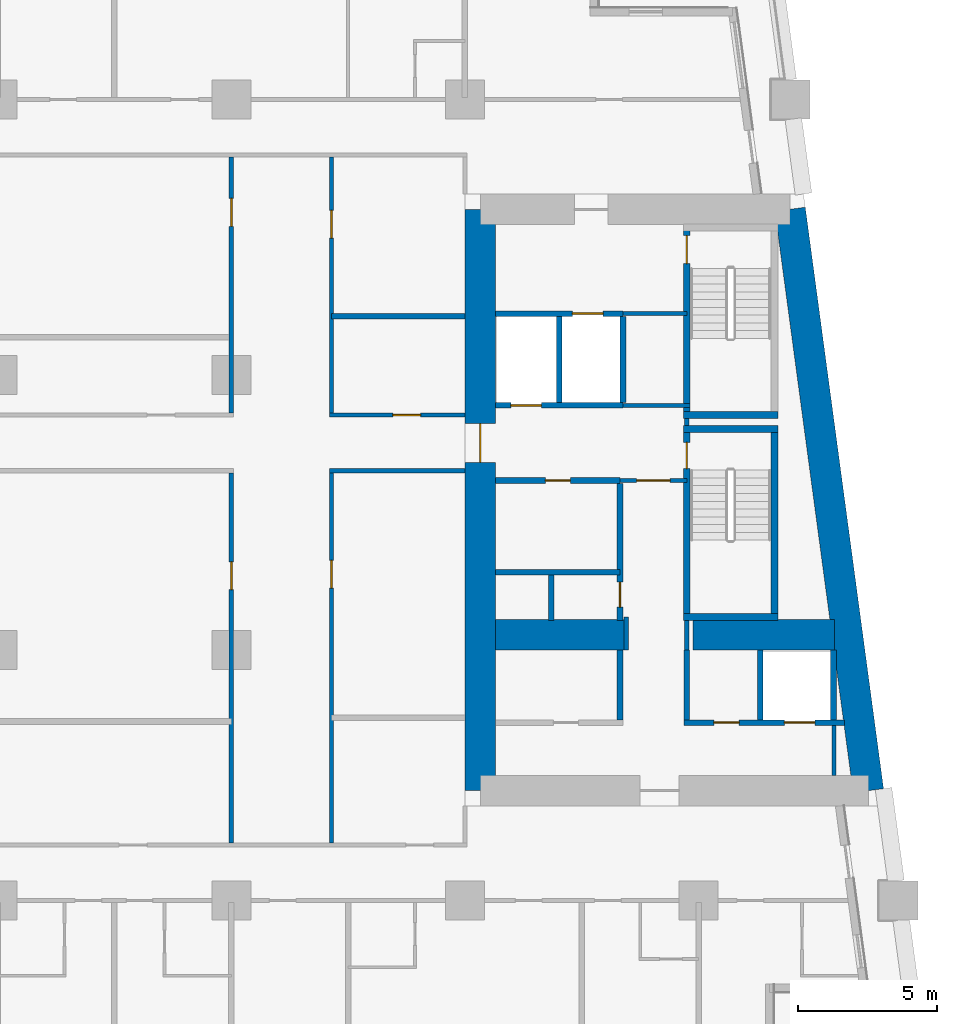
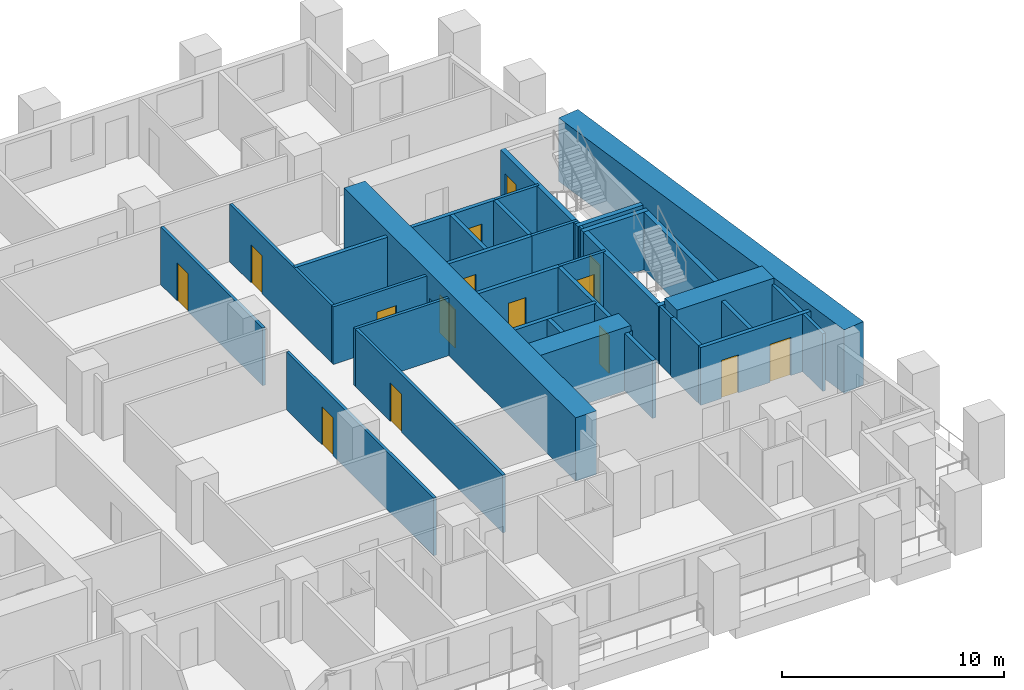
# One storey, part 5 of 12: 37 walls, 15 doors, 15 openings.
"""IFC4 building model written with IfcOpenShell, lengths in metres."""

from ifc_helpers import new_model, si_unit, direction, frame, frame_2d, origin, place, context, subcontext, project, spatial, rectangle, extrude, material, layer, layer_set, type_object, element, fill, save


model = new_model("IFC4")

# Units and contexts
model_context = context("Model", 3, precision=1e-05, world=origin(), true_north=direction((0.0, 1.0)))
body_context = subcontext(model_context, "Body", "Model", "MODEL_VIEW")
ifc_project = project(units=[si_unit("LENGTHUNIT", "METRE"), si_unit("AREAUNIT", "SQUARE_METRE"), si_unit("VOLUMEUNIT", "CUBIC_METRE"), si_unit("PLANEANGLEUNIT", "RADIAN"), si_unit("MASSUNIT", "GRAM", prefix="KILO")], contexts=[model_context])

# Site, building, storey
site_placement = place(None, origin())
site = spatial("IfcSite", under=ifc_project, at=site_placement, CompositionType="ELEMENT")
building_placement = place(site_placement, origin())
building = spatial("IfcBuilding", under=site, at=building_placement, Name="Candeia Pilgrim Tower and Theatre", CompositionType="ELEMENT")
storey_placement = place(building_placement, frame((0.0, 0.0, 46.0)))
storey = spatial("IfcBuildingStorey", under=building, at=storey_placement, Name="L08", CompositionType="ELEMENT", Elevation=46.0)

# Wall
ifc_material_1 = material(Name="Concrete C80/95", Category="concrete")
ifc_layer_1 = layer(ifc_material_1, 1.10009765625)
ifc_layer_set_1 = layer_set([ifc_layer_1], Name="Core wall 1100 C80/95")
wall_type_1 = type_object("IfcWallType", Name="Core wall 1100 C80/95", PredefinedType="SHEAR", material=ifc_layer_set_1)
wall_1_placement = place(storey_placement, frame((137.688232421875, 131.85009765625, 0.0), z_axis=(0.0, 0.0, 1.0), x_axis=(0.133411793472, -0.991060691059, 0.0)))
element("IfcWall", 1, at=wall_1_placement, inside=storey, type_object=wall_type_1, Name="Core wall E2", PredefinedType="SHEAR", context=body_context, shape_type="SweptSolid", body=[
    extrude(rectangle(XDim=21.088623046875, YDim=1.10009765625, at=frame_2d((10.54443359375, 0.0))), origin(), (0.0, 0.0, 1.0), 3.5),
])

# Wall, opening, door
wall_2_placement = place(storey_placement, frame((126.550048828125, 110.949951171875, 0.0), z_axis=(0.0, 0.0, 1.0), x_axis=(0.0, 1.0, 0.0)))
wall_2 = element("IfcWall", 2, at=wall_2_placement, inside=storey, type_object=wall_type_1, Name="Core wall E4", PredefinedType="SHEAR", context=body_context, shape_type="SweptSolid", body=[
    extrude(rectangle(XDim=20.900146484375, YDim=1.10009765625, at=frame_2d((10.4501953125, 0.0))), origin(), (0.0, 0.0, 1.0), 3.5),
])
opening_1_placement = place(wall_2_placement, frame((11.800048828125, 0.0, 0.0)))
opening_1 = element("IfcOpeningElement", 3, at=opening_1_placement, cuts=wall_2, Name="Opening L08-D058", PredefinedType="OPENING", context=body_context, shape_type="SweptSolid", body=[
    extrude(rectangle(XDim=1.39990234375, YDim=2.10009765625, at=frame_2d((0.699951171875, 1.050048828125))), frame((0.0, 0.56005859375, 0.0), z_axis=(0.0, -1.0, 0.0), x_axis=(1.0, 0.0, 0.0)), (0.0, 0.0, 1.0), 1.1201171875),
])
ifc_material_2 = material(Name="Steel fire door set", Category="steel")
door_type_1 = type_object("IfcDoorType", Name="D-1400-FD60", OperationType="NOTDEFINED", PredefinedType="DOOR", material=ifc_material_2)
door_1_placement = place(opening_1_placement, origin())
door_1 = element("IfcDoor", 4, at=door_1_placement, inside=storey, type_object=door_type_1, Name="Door L08-D058", OperationType="SINGLE_SWING_RIGHT", OverallHeight=2.10009765625, OverallWidth=1.39990234375, PredefinedType="DOOR", context=body_context, shape_type="SweptSolid", body=[
    extrude(rectangle(XDim=1.39990234375, YDim=2.10009765625, at=frame_2d((0.699951171875, 1.050048828125))), frame((0.0, 0.02490234375, 0.0), z_axis=(0.0, -1.0, 0.0), x_axis=(1.0, 0.0, 0.0)), (0.0, 0.0, 1.0), 0.050048828125),
])
fill(opening_1, door_1)

# Walls
wall_3_placement = place(storey_placement, frame((127.10009765625, 116.550048828125, 0.0), z_axis=(0.0, 0.0, 1.0), x_axis=(1.0, 0.0, 0.0)))
element("IfcWall", 5, at=wall_3_placement, inside=storey, type_object=wall_type_1, Name="Core wall E5", PredefinedType="SHEAR", context=body_context, shape_type="SweptSolid", body=[
    extrude(rectangle(XDim=4.699951171875, YDim=1.10009765625, at=frame_2d((2.35009765625, 0.0))), origin(), (0.0, 0.0, 1.0), 3.5),
])
wall_4_placement = place(storey_placement, frame((134.199951171875, 116.550048828125, 0.0), z_axis=(0.0, 0.0, 1.0), x_axis=(1.0, 0.0, 0.0)))
element("IfcWall", 6, at=wall_4_placement, inside=storey, type_object=wall_type_1, Name="Core wall E6", PredefinedType="SHEAR", context=body_context, shape_type="SweptSolid", body=[
    extrude(rectangle(XDim=5.076904296875, YDim=1.10009765625, at=frame_2d((2.53857421875, 0.0))), origin(), (0.0, 0.0, 1.0), 3.5),
])

# Wall, opening, door
ifc_material_3 = material(Name="Gypsum board partition on steel studs", Category="steel")
ifc_layer_2 = layer(ifc_material_3, 0.14990234375)
ifc_layer_set_2 = layer_set([ifc_layer_2], Name="PW-150 lobby wall")
wall_type_2 = type_object("IfcWallType", Name="PW-150 lobby wall", PredefinedType="PARTITIONING", material=ifc_layer_set_2)
wall_5_placement = place(storey_placement, frame((131.572998046875, 122.10009765625, 0.0), z_axis=(0.0, 0.0, 1.0), x_axis=(1.0, 0.0, 0.0)))
wall_5 = element("IfcWall", 7, at=wall_5_placement, inside=storey, type_object=wall_type_2, Name="Lobby wall L08-023", PredefinedType="PARTITIONING", context=body_context, shape_type="SweptSolid", body=[
    extrude(rectangle(XDim=2.39990234375, YDim=0.14990234375, at=frame_2d((1.199951171875, 0.0))), origin(), (0.0, 0.0, 1.0), 3.179931640625),
])
opening_2_placement = place(wall_5_placement, frame((0.60009765625, 0.0, 0.0)))
opening_2 = element("IfcOpeningElement", 8, at=opening_2_placement, cuts=wall_5, Name="Opening L08-D007", PredefinedType="OPENING", context=body_context, shape_type="SweptSolid", body=[
    extrude(rectangle(XDim=1.199951171875, YDim=2.10009765625, at=frame_2d((0.60009765625, 1.050048828125))), frame((0.0, 0.0849609375, 0.0), z_axis=(0.0, -1.0, 0.0), x_axis=(1.0, 0.0, 0.0)), (0.0, 0.0, 1.0), 0.169921875),
])
door_type_2 = type_object("IfcDoorType", Name="D-1200-FD60", OperationType="NOTDEFINED", PredefinedType="DOOR", material=ifc_material_2)
door_2_placement = place(opening_2_placement, origin())
door_2 = element("IfcDoor", 9, at=door_2_placement, inside=storey, type_object=door_type_2, Name="Door L08-D007", OperationType="SINGLE_SWING_RIGHT", OverallHeight=2.10009765625, OverallWidth=1.199951171875, PredefinedType="DOOR", context=body_context, shape_type="SweptSolid", body=[
    extrude(rectangle(XDim=1.199951171875, YDim=2.10009765625, at=frame_2d((0.60009765625, 1.050048828125))), frame((0.0, 0.02490234375, 0.0), z_axis=(0.0, -1.0, 0.0), x_axis=(1.0, 0.0, 0.0)), (0.0, 0.0, 1.0), 0.050048828125),
])
fill(opening_2, door_2)

# Walls
wall_6_placement = place(storey_placement, frame((131.681884765625, 124.800048828125, 0.0), z_axis=(0.0, 0.0, 1.0), x_axis=(1.0, 0.0, 0.0)))
element("IfcWall", 10, at=wall_6_placement, inside=storey, type_object=wall_type_2, Name="Lobby wall L08-036", PredefinedType="PARTITIONING", context=body_context, shape_type="SweptSolid", body=[
    extrude(rectangle(XDim=2.416015625, YDim=0.14990234375, at=frame_2d((1.2080078125, 0.0))), origin(), (0.0, 0.0, 1.0), 3.179931640625),
])
wall_7_placement = place(storey_placement, frame((131.681884765625, 128.10009765625, 0.0), z_axis=(0.0, 0.0, 1.0), x_axis=(1.0, 0.0, 0.0)))
element("IfcWall", 11, at=wall_7_placement, inside=storey, type_object=wall_type_2, Name="Lobby wall L08-042", PredefinedType="PARTITIONING", context=body_context, shape_type="SweptSolid", body=[
    extrude(rectangle(XDim=2.291015625, YDim=0.14990234375, at=frame_2d((1.1455078125, 0.0))), origin(), (0.0, 0.0, 1.0), 3.179931640625),
])
wall_8_placement = place(storey_placement, frame((131.800048828125, 116.0, 0.0), z_axis=(0.0, 0.0, 1.0), x_axis=(0.0, 1.0, 0.0)))
element("IfcWall", 12, at=wall_8_placement, inside=storey, type_object=wall_type_2, Name="Lobby wall L08-106", PredefinedType="PARTITIONING", context=body_context, shape_type="SweptSolid", body=[
    extrude(rectangle(XDim=1.199951171875, YDim=0.14990234375, at=frame_2d((0.60009765625, 0.0))), origin(), (0.0, 0.0, 1.0), 3.179931640625),
])
wall_9_placement = place(storey_placement, frame((133.972900390625, 116.0, 0.0), z_axis=(0.0, 0.0, 1.0), x_axis=(0.0, 1.0, 0.0)))
element("IfcWall", 13, at=wall_9_placement, inside=storey, type_object=wall_type_2, Name="Lobby wall L08-109", PredefinedType="PARTITIONING", context=body_context, shape_type="SweptSolid", body=[
    extrude(rectangle(XDim=1.070068359375, YDim=0.14990234375, at=frame_2d((0.53515625, 0.0))), origin(), (0.0, 0.0, 1.0), 3.179931640625),
])
wall_10_placement = place(storey_placement, frame((133.972900390625, 124.074951171875, 0.0), z_axis=(0.0, 0.0, 1.0), x_axis=(0.0, 1.0, 0.0)))
element("IfcWall", 14, at=wall_10_placement, inside=storey, type_object=wall_type_2, Name="Lobby wall L08-110", PredefinedType="PARTITIONING", context=body_context, shape_type="SweptSolid", body=[
    extrude(rectangle(XDim=0.25, YDim=0.14990234375, at=frame_2d((0.125, 0.0))), origin(), (0.0, 0.0, 1.0), 3.179931640625),
])
wall_11_placement = place(storey_placement, frame((139.27001953125, 111.5, 0.0), z_axis=(0.0, 0.0, 1.0), x_axis=(0.0, 1.0, 0.0)))
element("IfcWall", 15, at=wall_11_placement, inside=storey, type_object=wall_type_2, Name="Lobby wall L08-119", PredefinedType="PARTITIONING", context=body_context, shape_type="SweptSolid", body=[
    extrude(rectangle(XDim=1.800048828125, YDim=0.14990234375, at=frame_2d((0.89990234375, 0.0))), origin(), (0.0, 0.0, 1.0), 3.179931640625),
])
ifc_layer_3 = layer(ifc_material_3, 0.14990234375)
ifc_layer_set_3 = layer_set([ifc_layer_3], Name="PW-150 unit wall")
wall_type_3 = type_object("IfcWallType", Name="PW-150 unit wall", PredefinedType="PARTITIONING", material=ifc_layer_set_3)
wall_12_placement = place(storey_placement, frame((121.125, 122.449951171875, 0.0), z_axis=(0.0, 0.0, 1.0), x_axis=(1.0, 0.0, 0.0)))
element("IfcWall", 16, at=wall_12_placement, inside=storey, type_object=wall_type_3, Name="Unit wall L08-026", PredefinedType="PARTITIONING", context=body_context, shape_type="SweptSolid", body=[
    extrude(rectangle(XDim=4.875, YDim=0.14990234375, at=frame_2d((2.4375, 0.0))), origin(), (0.0, 0.0, 1.0), 3.179931640625),
])

# Wall, opening, door
wall_13_placement = place(storey_placement, frame((121.125, 124.449951171875, 0.0), z_axis=(0.0, 0.0, 1.0), x_axis=(1.0, 0.0, 0.0)))
wall_13 = element("IfcWall", 17, at=wall_13_placement, inside=storey, type_object=wall_type_3, Name="Unit wall L08-033", PredefinedType="PARTITIONING", context=body_context, shape_type="SweptSolid", body=[
    extrude(rectangle(XDim=4.875, YDim=0.14990234375, at=frame_2d((2.4375, 0.0))), origin(), (0.0, 0.0, 1.0), 3.179931640625),
])
opening_3_placement = place(wall_13_placement, frame((2.284912109375, 0.0, 0.0)))
opening_3 = element("IfcOpeningElement", 18, at=opening_3_placement, cuts=wall_13, Name="Opening L08-D051", PredefinedType="OPENING", context=body_context, shape_type="SweptSolid", body=[
    extrude(rectangle(XDim=1.0, YDim=2.10009765625, at=frame_2d((0.5, 1.050048828125))), frame((0.0, 0.0849609375, 0.0), z_axis=(0.0, -1.0, 0.0), x_axis=(1.0, 0.0, 0.0)), (0.0, 0.0, 1.0), 0.169921875),
])
door_type_3 = type_object("IfcDoorType", Name="D-1000-FD30S", OperationType="NOTDEFINED", PredefinedType="DOOR", material=ifc_material_2)
door_3_placement = place(opening_3_placement, origin())
door_3 = element("IfcDoor", 19, at=door_3_placement, inside=storey, type_object=door_type_3, Name="Door L08-D051", OperationType="SINGLE_SWING_LEFT", OverallHeight=2.10009765625, OverallWidth=1.0, PredefinedType="DOOR", context=body_context, shape_type="SweptSolid", body=[
    extrude(rectangle(XDim=1.0, YDim=2.10009765625, at=frame_2d((0.5, 1.050048828125))), frame((0.0, 0.02490234375, 0.0), z_axis=(0.0, -1.0, 0.0), x_axis=(1.0, 0.0, 0.0)), (0.0, 0.0, 1.0), 0.050048828125),
])
fill(opening_3, door_3)

wall_14_placement = place(storey_placement, frame((117.60009765625, 109.074951171875, 0.0), z_axis=(0.0, 0.0, 1.0), x_axis=(0.0, 1.0, 0.0)))
wall_14 = element("IfcWall", 20, at=wall_14_placement, inside=storey, type_object=wall_type_3, Name="Unit wall L08-089", PredefinedType="PARTITIONING", context=body_context, shape_type="SweptSolid", body=[
    extrude(rectangle(XDim=13.300048828125, YDim=0.14990234375, at=frame_2d((6.64990234375, 0.0))), origin(), (0.0, 0.0, 1.0), 3.179931640625),
])
opening_4_placement = place(wall_14_placement, frame((9.10009765625, 0.0, 0.0)))
opening_4 = element("IfcOpeningElement", 21, at=opening_4_placement, cuts=wall_14, Name="Opening L08-D046", PredefinedType="OPENING", context=body_context, shape_type="SweptSolid", body=[
    extrude(rectangle(XDim=1.0, YDim=2.10009765625, at=frame_2d((0.5, 1.050048828125))), frame((0.0, 0.0849609375, 0.0), z_axis=(0.0, -1.0, 0.0), x_axis=(1.0, 0.0, 0.0)), (0.0, 0.0, 1.0), 0.169921875),
])
door_4_placement = place(opening_4_placement, origin())
door_4 = element("IfcDoor", 22, at=door_4_placement, inside=storey, type_object=door_type_3, Name="Door L08-D046", OperationType="SINGLE_SWING_RIGHT", OverallHeight=2.10009765625, OverallWidth=1.0, PredefinedType="DOOR", context=body_context, shape_type="SweptSolid", body=[
    extrude(rectangle(XDim=1.0, YDim=2.10009765625, at=frame_2d((0.5, 1.050048828125))), frame((0.0, 0.02490234375, 0.0), z_axis=(0.0, -1.0, 0.0), x_axis=(1.0, 0.0, 0.0)), (0.0, 0.0, 1.0), 0.050048828125),
])
fill(opening_4, door_4)

wall_15_placement = place(storey_placement, frame((117.60009765625, 124.52490234375, 0.0), z_axis=(0.0, 0.0, 1.0), x_axis=(0.0, 1.0, 0.0)))
wall_15 = element("IfcWall", 23, at=wall_15_placement, inside=storey, type_object=wall_type_3, Name="Unit wall L08-090", PredefinedType="PARTITIONING", context=body_context, shape_type="SweptSolid", body=[
    extrude(rectangle(XDim=9.2001953125, YDim=0.14990234375, at=frame_2d((4.60009765625, 0.0))), origin(), (0.0, 0.0, 1.0), 3.179931640625),
])
opening_5_placement = place(wall_15_placement, frame((6.714111328125, 0.0, 0.0)))
opening_5 = element("IfcOpeningElement", 24, at=opening_5_placement, cuts=wall_15, Name="Opening L08-D048", PredefinedType="OPENING", context=body_context, shape_type="SweptSolid", body=[
    extrude(rectangle(XDim=1.0, YDim=2.10009765625, at=frame_2d((0.5, 1.050048828125))), frame((0.0, 0.0849609375, 0.0), z_axis=(0.0, -1.0, 0.0), x_axis=(1.0, 0.0, 0.0)), (0.0, 0.0, 1.0), 0.169921875),
])
door_5_placement = place(opening_5_placement, origin())
door_5 = element("IfcDoor", 25, at=door_5_placement, inside=storey, type_object=door_type_3, Name="Door L08-D048", OperationType="SINGLE_SWING_RIGHT", OverallHeight=2.10009765625, OverallWidth=1.0, PredefinedType="DOOR", context=body_context, shape_type="SweptSolid", body=[
    extrude(rectangle(XDim=1.0, YDim=2.10009765625, at=frame_2d((0.5, 1.050048828125))), frame((0.0, 0.02490234375, 0.0), z_axis=(0.0, -1.0, 0.0), x_axis=(1.0, 0.0, 0.0)), (0.0, 0.0, 1.0), 0.050048828125),
])
fill(opening_5, door_5)

wall_16_placement = place(storey_placement, frame((121.199951171875, 109.074951171875, 0.0), z_axis=(0.0, 0.0, 1.0), x_axis=(0.0, 1.0, 0.0)))
wall_16 = element("IfcWall", 26, at=wall_16_placement, inside=storey, type_object=wall_type_3, Name="Unit wall L08-091", PredefinedType="PARTITIONING", context=body_context, shape_type="SweptSolid", body=[
    extrude(rectangle(XDim=13.300048828125, YDim=0.14990234375, at=frame_2d((6.64990234375, 0.0))), origin(), (0.0, 0.0, 1.0), 3.179931640625),
])
opening_6_placement = place(wall_16_placement, frame((9.154052734375, 0.0, 0.0)))
opening_6 = element("IfcOpeningElement", 27, at=opening_6_placement, cuts=wall_16, Name="Opening L08-D050", PredefinedType="OPENING", context=body_context, shape_type="SweptSolid", body=[
    extrude(rectangle(XDim=1.0, YDim=2.10009765625, at=frame_2d((0.5, 1.050048828125))), frame((0.0, 0.0849609375, 0.0), z_axis=(0.0, -1.0, 0.0), x_axis=(1.0, 0.0, 0.0)), (0.0, 0.0, 1.0), 0.169921875),
])
door_6_placement = place(opening_6_placement, origin())
door_6 = element("IfcDoor", 28, at=door_6_placement, inside=storey, type_object=door_type_3, Name="Door L08-D050", OperationType="SINGLE_SWING_RIGHT", OverallHeight=2.10009765625, OverallWidth=1.0, PredefinedType="DOOR", context=body_context, shape_type="SweptSolid", body=[
    extrude(rectangle(XDim=1.0, YDim=2.10009765625, at=frame_2d((0.5, 1.050048828125))), frame((0.0, 0.02490234375, 0.0), z_axis=(0.0, -1.0, 0.0), x_axis=(1.0, 0.0, 0.0)), (0.0, 0.0, 1.0), 0.050048828125),
])
fill(opening_6, door_6)

wall_17_placement = place(storey_placement, frame((121.199951171875, 124.52490234375, 0.0), z_axis=(0.0, 0.0, 1.0), x_axis=(0.0, 1.0, 0.0)))
wall_17 = element("IfcWall", 29, at=wall_17_placement, inside=storey, type_object=wall_type_3, Name="Unit wall L08-092", PredefinedType="PARTITIONING", context=body_context, shape_type="SweptSolid", body=[
    extrude(rectangle(XDim=9.2001953125, YDim=0.14990234375, at=frame_2d((4.60009765625, 0.0))), origin(), (0.0, 0.0, 1.0), 3.179931640625),
])
opening_7_placement = place(wall_17_placement, frame((6.285888671875, 0.0, 0.0)))
opening_7 = element("IfcOpeningElement", 30, at=opening_7_placement, cuts=wall_17, Name="Opening L08-D052", PredefinedType="OPENING", context=body_context, shape_type="SweptSolid", body=[
    extrude(rectangle(XDim=1.0, YDim=2.10009765625, at=frame_2d((0.5, 1.050048828125))), frame((0.0, 0.0849609375, 0.0), z_axis=(0.0, -1.0, 0.0), x_axis=(1.0, 0.0, 0.0)), (0.0, 0.0, 1.0), 0.169921875),
])
door_7_placement = place(opening_7_placement, origin())
door_7 = element("IfcDoor", 31, at=door_7_placement, inside=storey, type_object=door_type_3, Name="Door L08-D052", OperationType="SINGLE_SWING_RIGHT", OverallHeight=2.10009765625, OverallWidth=1.0, PredefinedType="DOOR", context=body_context, shape_type="SweptSolid", body=[
    extrude(rectangle(XDim=1.0, YDim=2.10009765625, at=frame_2d((0.5, 1.050048828125))), frame((0.0, 0.02490234375, 0.0), z_axis=(0.0, -1.0, 0.0), x_axis=(1.0, 0.0, 0.0)), (0.0, 0.0, 1.0), 0.050048828125),
])
fill(opening_7, door_7)

# Wall
ifc_layer_4 = layer(ifc_material_3, 0.199951171875)
ifc_layer_set_4 = layer_set([ifc_layer_4], Name="PW-200 party wall")
wall_type_4 = type_object("IfcWallType", Name="PW-200 party wall", PredefinedType="PARTITIONING", material=ifc_layer_set_4)
wall_18_placement = place(storey_placement, frame((121.199951171875, 128.0029296875, 0.0), z_axis=(0.0, 0.0, 1.0), x_axis=(1.0, 0.0, 0.0)))
element("IfcWall", 32, at=wall_18_placement, inside=storey, type_object=wall_type_4, Name="Party wall L08-039", PredefinedType="PARTITIONING", context=body_context, shape_type="SweptSolid", body=[
    extrude(rectangle(XDim=4.800048828125, YDim=0.199951171875, at=frame_2d((2.39990234375, 0.0))), origin(), (0.0, 0.0, 1.0), 3.179931640625),
])

# Wall, openings, doors
ifc_material_4 = material(Name="Concrete C40/50", Category="concrete")
ifc_layer_5 = layer(ifc_material_4, 0.199951171875)
ifc_layer_set_5 = layer_set([ifc_layer_5], Name="SW-200 shaft wall")
wall_type_5 = type_object("IfcWallType", Name="SW-200 shaft wall", PredefinedType="PARTITIONING", material=ifc_layer_set_5)
wall_19_placement = place(storey_placement, frame((133.873046875, 113.39990234375, 0.0), z_axis=(0.0, 0.0, 1.0), x_axis=(1.0, 0.0, 0.0)))
wall_19 = element("IfcWall", 33, at=wall_19_placement, inside=storey, type_object=wall_type_5, Name="Shaft wall L08-013", PredefinedType="PARTITIONING", context=body_context, shape_type="SweptSolid", body=[
    extrude(rectangle(XDim=5.77392578125, YDim=0.199951171875, at=frame_2d((2.886962890625, 0.0))), origin(), (0.0, 0.0, 1.0), 3.179931640625),
])
opening_8_placement = place(wall_19_placement, frame((3.60791015625, 0.0, 0.0)))
opening_8 = element("IfcOpeningElement", 34, at=opening_8_placement, cuts=wall_19, Name="Opening L08-LD08", PredefinedType="OPENING", context=body_context, shape_type="SweptSolid", body=[
    extrude(rectangle(XDim=1.10009765625, YDim=2.10009765625, at=frame_2d((0.550048828125, 1.050048828125))), frame((0.0, 0.10986328125, 0.0), z_axis=(0.0, -1.0, 0.0), x_axis=(1.0, 0.0, 0.0)), (0.0, 0.0, 1.0), 0.219970703125),
])
opening_9_placement = place(wall_19_placement, frame((1.0791015625, 0.0, 0.0)))
opening_9 = element("IfcOpeningElement", 35, at=opening_9_placement, cuts=wall_19, Name="Opening L08-D012", PredefinedType="OPENING", context=body_context, shape_type="SweptSolid", body=[
    extrude(rectangle(XDim=0.89990234375, YDim=2.10009765625, at=frame_2d((0.449951171875, 1.050048828125))), frame((0.0, 0.10986328125, 0.0), z_axis=(0.0, -1.0, 0.0), x_axis=(1.0, 0.0, 0.0)), (0.0, 0.0, 1.0), 0.219970703125),
])
door_type_4 = type_object("IfcDoorType", Name="D-900-FD60", OperationType="NOTDEFINED", PredefinedType="DOOR", material=ifc_material_2)
door_8_placement = place(opening_9_placement, origin())
door_8 = element("IfcDoor", 36, at=door_8_placement, inside=storey, type_object=door_type_4, Name="Door L08-D012", OperationType="SINGLE_SWING_RIGHT", OverallHeight=2.10009765625, OverallWidth=0.89990234375, PredefinedType="DOOR", context=body_context, shape_type="SweptSolid", body=[
    extrude(rectangle(XDim=0.89990234375, YDim=2.10009765625, at=frame_2d((0.449951171875, 1.050048828125))), frame((0.0, 0.02490234375, 0.0), z_axis=(0.0, -1.0, 0.0), x_axis=(1.0, 0.0, 0.0)), (0.0, 0.0, 1.0), 0.050048828125),
])
fill(opening_9, door_8)
ifc_material_5 = material(Name="Glazed aluminium landing door", Category="aluminium")
door_type_5 = type_object("IfcDoorType", Name="LD-1100-EI120", OperationType="SLIDING_TO_LEFT", PredefinedType="DOOR", material=ifc_material_5)
door_9_placement = place(opening_8_placement, origin())
door_9 = element("IfcDoor", 37, at=door_9_placement, inside=storey, type_object=door_type_5, Name="Landing door 08 L08", OperationType="SLIDING_TO_LEFT", OverallHeight=2.10009765625, OverallWidth=1.10009765625, PredefinedType="DOOR", context=body_context, shape_type="SweptSolid", body=[
    extrude(rectangle(XDim=1.10009765625, YDim=2.10009765625, at=frame_2d((0.550048828125, 1.050048828125))), frame((0.0, 0.02490234375, 0.0), z_axis=(0.0, -1.0, 0.0), x_axis=(1.0, 0.0, 0.0)), (0.0, 0.0, 1.0), 0.050048828125),
])
fill(opening_8, door_9)

# Wall
wall_20_placement = place(storey_placement, frame((127.10009765625, 118.800048828125, 0.0), z_axis=(0.0, 0.0, 1.0), x_axis=(1.0, 0.0, 0.0)))
element("IfcWall", 38, at=wall_20_placement, inside=storey, type_object=wall_type_5, Name="Shaft wall L08-019", PredefinedType="PARTITIONING", context=body_context, shape_type="SweptSolid", body=[
    extrude(rectangle(XDim=4.472900390625, YDim=0.199951171875, at=frame_2d((2.236328125, 0.0))), origin(), (0.0, 0.0, 1.0), 3.179931640625),
])

# Wall, opening, door
wall_21_placement = place(storey_placement, frame((127.10009765625, 122.10009765625, 0.0), z_axis=(0.0, 0.0, 1.0), x_axis=(1.0, 0.0, 0.0)))
wall_21 = element("IfcWall", 39, at=wall_21_placement, inside=storey, type_object=wall_type_5, Name="Shaft wall L08-021", PredefinedType="PARTITIONING", context=body_context, shape_type="SweptSolid", body=[
    extrude(rectangle(XDim=4.472900390625, YDim=0.199951171875, at=frame_2d((2.236328125, 0.0))), origin(), (0.0, 0.0, 1.0), 3.179931640625),
])
opening_10_placement = place(wall_21_placement, frame((1.787109375, 0.0, 0.0)))
opening_10 = element("IfcOpeningElement", 40, at=opening_10_placement, cuts=wall_21, Name="Opening L08-D008", PredefinedType="OPENING", context=body_context, shape_type="SweptSolid", body=[
    extrude(rectangle(XDim=0.89990234375, YDim=2.10009765625, at=frame_2d((0.449951171875, 1.050048828125))), frame((0.0, 0.10986328125, 0.0), z_axis=(0.0, -1.0, 0.0), x_axis=(1.0, 0.0, 0.0)), (0.0, 0.0, 1.0), 0.219970703125),
])
door_10_placement = place(opening_10_placement, origin())
door_10 = element("IfcDoor", 41, at=door_10_placement, inside=storey, type_object=door_type_4, Name="Door L08-D008", OperationType="SINGLE_SWING_LEFT", OverallHeight=2.10009765625, OverallWidth=0.89990234375, PredefinedType="DOOR", context=body_context, shape_type="SweptSolid", body=[
    extrude(rectangle(XDim=0.89990234375, YDim=2.10009765625, at=frame_2d((0.449951171875, 1.050048828125))), frame((0.0, 0.02490234375, 0.0), z_axis=(0.0, -1.0, 0.0), x_axis=(1.0, 0.0, 0.0)), (0.0, 0.0, 1.0), 0.050048828125),
])
fill(opening_10, door_10)

wall_22_placement = place(storey_placement, frame((127.10009765625, 124.800048828125, 0.0), z_axis=(0.0, 0.0, 1.0), x_axis=(1.0, 0.0, 0.0)))
wall_22 = element("IfcWall", 42, at=wall_22_placement, inside=storey, type_object=wall_type_5, Name="Shaft wall L08-035", PredefinedType="PARTITIONING", context=body_context, shape_type="SweptSolid", body=[
    extrude(rectangle(XDim=4.581787109375, YDim=0.199951171875, at=frame_2d((2.291015625, 0.0))), origin(), (0.0, 0.0, 1.0), 3.179931640625),
])
opening_11_placement = place(wall_22_placement, frame((0.5458984375, 0.0, 0.0)))
opening_11 = element("IfcOpeningElement", 43, at=opening_11_placement, cuts=wall_22, Name="Opening L08-LD07", PredefinedType="OPENING", context=body_context, shape_type="SweptSolid", body=[
    extrude(rectangle(XDim=1.10009765625, YDim=2.10009765625, at=frame_2d((0.550048828125, 1.050048828125))), frame((0.0, 0.10986328125, 0.0), z_axis=(0.0, -1.0, 0.0), x_axis=(1.0, 0.0, 0.0)), (0.0, 0.0, 1.0), 0.219970703125),
])
door_11_placement = place(opening_11_placement, origin())
door_11 = element("IfcDoor", 44, at=door_11_placement, inside=storey, type_object=door_type_5, Name="Landing door 07 L08", OperationType="SLIDING_TO_LEFT", OverallHeight=2.10009765625, OverallWidth=1.10009765625, PredefinedType="DOOR", context=body_context, shape_type="SweptSolid", body=[
    extrude(rectangle(XDim=1.10009765625, YDim=2.10009765625, at=frame_2d((0.550048828125, 1.050048828125))), frame((0.0, 0.02490234375, 0.0), z_axis=(0.0, -1.0, 0.0), x_axis=(1.0, 0.0, 0.0)), (0.0, 0.0, 1.0), 0.050048828125),
])
fill(opening_11, door_11)

wall_23_placement = place(storey_placement, frame((127.10009765625, 128.10009765625, 0.0), z_axis=(0.0, 0.0, 1.0), x_axis=(1.0, 0.0, 0.0)))
wall_23 = element("IfcWall", 45, at=wall_23_placement, inside=storey, type_object=wall_type_5, Name="Shaft wall L08-041", PredefinedType="PARTITIONING", context=body_context, shape_type="SweptSolid", body=[
    extrude(rectangle(XDim=4.581787109375, YDim=0.199951171875, at=frame_2d((2.291015625, 0.0))), origin(), (0.0, 0.0, 1.0), 3.179931640625),
])
opening_12_placement = place(wall_23_placement, frame((2.763916015625, 0.0, 0.0)))
opening_12 = element("IfcOpeningElement", 46, at=opening_12_placement, cuts=wall_23, Name="Opening L08-LD06", PredefinedType="OPENING", context=body_context, shape_type="SweptSolid", body=[
    extrude(rectangle(XDim=1.10009765625, YDim=2.10009765625, at=frame_2d((0.550048828125, 1.050048828125))), frame((0.0, 0.10986328125, 0.0), z_axis=(0.0, -1.0, 0.0), x_axis=(1.0, 0.0, 0.0)), (0.0, 0.0, 1.0), 0.219970703125),
])
door_12_placement = place(opening_12_placement, origin())
door_12 = element("IfcDoor", 47, at=door_12_placement, inside=storey, type_object=door_type_5, Name="Landing door 06 L08", OperationType="SLIDING_TO_LEFT", OverallHeight=2.10009765625, OverallWidth=1.10009765625, PredefinedType="DOOR", context=body_context, shape_type="SweptSolid", body=[
    extrude(rectangle(XDim=1.10009765625, YDim=2.10009765625, at=frame_2d((0.550048828125, 1.050048828125))), frame((0.0, 0.02490234375, 0.0), z_axis=(0.0, -1.0, 0.0), x_axis=(1.0, 0.0, 0.0)), (0.0, 0.0, 1.0), 0.050048828125),
])
fill(opening_12, door_12)

# Walls
wall_24_placement = place(storey_placement, frame((129.10009765625, 117.070068359375, 0.0), z_axis=(0.0, 0.0, 1.0), x_axis=(0.0, 1.0, 0.0)))
element("IfcWall", 48, at=wall_24_placement, inside=storey, type_object=wall_type_5, Name="Shaft wall L08-100", PredefinedType="PARTITIONING", context=body_context, shape_type="SweptSolid", body=[
    extrude(rectangle(XDim=1.6298828125, YDim=0.199951171875, at=frame_2d((0.81494140625, 0.0))), origin(), (0.0, 0.0, 1.0), 3.179931640625),
])
wall_25_placement = place(storey_placement, frame((129.39111328125, 124.89990234375, 0.0), z_axis=(0.0, 0.0, 1.0), x_axis=(0.0, 1.0, 0.0)))
element("IfcWall", 49, at=wall_25_placement, inside=storey, type_object=wall_type_5, Name="Shaft wall L08-101", PredefinedType="PARTITIONING", context=body_context, shape_type="SweptSolid", body=[
    extrude(rectangle(XDim=3.10009765625, YDim=0.199951171875, at=frame_2d((1.550048828125, 0.0))), origin(), (0.0, 0.0, 1.0), 3.179931640625),
])
wall_26_placement = place(storey_placement, frame((131.572998046875, 113.5, 0.0), z_axis=(0.0, 0.0, 1.0), x_axis=(0.0, 1.0, 0.0)))
element("IfcWall", 50, at=wall_26_placement, inside=storey, type_object=wall_type_5, Name="Shaft wall L08-103", PredefinedType="PARTITIONING", context=body_context, shape_type="SweptSolid", body=[
    extrude(rectangle(XDim=2.5, YDim=0.199951171875, at=frame_2d((1.25, 0.0))), origin(), (0.0, 0.0, 1.0), 3.179931640625),
])

# Wall, opening, door
wall_27_placement = place(storey_placement, frame((131.572998046875, 117.070068359375, 0.0), z_axis=(0.0, 0.0, 1.0), x_axis=(0.0, 1.0, 0.0)))
wall_27 = element("IfcWall", 51, at=wall_27_placement, inside=storey, type_object=wall_type_5, Name="Shaft wall L08-104", PredefinedType="PARTITIONING", context=body_context, shape_type="SweptSolid", body=[
    extrude(rectangle(XDim=4.929931640625, YDim=0.199951171875, at=frame_2d((2.46484375, 0.0))), origin(), (0.0, 0.0, 1.0), 3.179931640625),
])
opening_13_placement = place(wall_27_placement, frame((0.47998046875, 0.0, 0.0)))
opening_13 = element("IfcOpeningElement", 52, at=opening_13_placement, cuts=wall_27, Name="Opening L08-D011", PredefinedType="OPENING", context=body_context, shape_type="SweptSolid", body=[
    extrude(rectangle(XDim=0.89990234375, YDim=2.10009765625, at=frame_2d((0.449951171875, 1.050048828125))), frame((0.0, 0.10986328125, 0.0), z_axis=(0.0, -1.0, 0.0), x_axis=(1.0, 0.0, 0.0)), (0.0, 0.0, 1.0), 0.219970703125),
])
door_13_placement = place(opening_13_placement, origin())
door_13 = element("IfcDoor", 53, at=door_13_placement, inside=storey, type_object=door_type_4, Name="Door L08-D011", OperationType="SINGLE_SWING_RIGHT", OverallHeight=2.10009765625, OverallWidth=0.89990234375, PredefinedType="DOOR", context=body_context, shape_type="SweptSolid", body=[
    extrude(rectangle(XDim=0.89990234375, YDim=2.10009765625, at=frame_2d((0.449951171875, 1.050048828125))), frame((0.0, 0.02490234375, 0.0), z_axis=(0.0, -1.0, 0.0), x_axis=(1.0, 0.0, 0.0)), (0.0, 0.0, 1.0), 0.050048828125),
])
fill(opening_13, door_13)

# Walls
wall_28_placement = place(storey_placement, frame((131.681884765625, 124.89990234375, 0.0), z_axis=(0.0, 0.0, 1.0), x_axis=(0.0, 1.0, 0.0)))
element("IfcWall", 54, at=wall_28_placement, inside=storey, type_object=wall_type_5, Name="Shaft wall L08-105", PredefinedType="PARTITIONING", context=body_context, shape_type="SweptSolid", body=[
    extrude(rectangle(XDim=3.10009765625, YDim=0.199951171875, at=frame_2d((1.550048828125, 0.0))), origin(), (0.0, 0.0, 1.0), 3.179931640625),
])
for number, where, z_axis, x_axis, name in (
    (55, (133.972900390625, 113.5, 0.0), (0.0, 0.0, 1.0), (0.0, 1.0, 0.0), "Shaft wall L08-108"),
    (56, (136.62158203125, 113.5, 0.0), (0.0, 0.0, 1.0), (0.0, 1.0, 0.0), "Shaft wall L08-114"),
    (57, (139.247802734375, 113.5, 0.0), (0.0, 0.0, 1.0), (0.0, 1.0, 0.0), "Shaft wall L08-118"),
):
    element("IfcWall", number, at=place(storey_placement, frame(where, z_axis=z_axis, x_axis=x_axis)), inside=storey, type_object=wall_type_5, Name=name, PredefinedType="PARTITIONING", context=body_context, shape_type="SweptSolid", body=[
        extrude(rectangle(XDim=2.5, YDim=0.199951171875, at=frame_2d((1.25, 0.0))), origin(), (0.0, 0.0, 1.0), 3.179931640625),
    ])
ifc_layer_6 = layer(ifc_material_4, 0.25)
ifc_layer_set_6 = layer_set([ifc_layer_6], Name="SW-250 stair wall")
wall_type_6 = type_object("IfcWallType", Name="SW-250 stair wall", PredefinedType="PARTITIONING", material=ifc_layer_set_6)
for number, where, z_axis, x_axis, name in (
    (58, (133.847900390625, 117.199951171875, 0.0), (0.0, 0.0, 1.0), (1.0, 0.0, 0.0), "Stair wall L08-017"),
    (59, (133.847900390625, 123.949951171875, 0.0), (0.0, 0.0, 1.0), (1.0, 0.0, 0.0), "Stair wall L08-028"),
    (60, (133.847900390625, 124.449951171875, 0.0), (0.0, 0.0, 1.0), (1.0, 0.0, 0.0), "Stair wall L08-030"),
):
    element("IfcWall", number, at=place(storey_placement, frame(where, z_axis=z_axis, x_axis=x_axis)), inside=storey, type_object=wall_type_6, Name=name, PredefinedType="PARTITIONING", context=body_context, shape_type="SweptSolid", body=[
        extrude(rectangle(XDim=3.400146484375, YDim=0.25, at=frame_2d((1.7001953125, 0.0))), origin(), (0.0, 0.0, 1.0), 3.179931640625),
    ])

# Wall, opening, door
wall_29_placement = place(storey_placement, frame((133.972900390625, 117.070068359375, 0.0), z_axis=(0.0, 0.0, 1.0), x_axis=(0.0, 1.0, 0.0)))
wall_29 = element("IfcWall", 61, at=wall_29_placement, inside=storey, type_object=wall_type_6, Name="Stair wall L08-111", PredefinedType="PARTITIONING", context=body_context, shape_type="SweptSolid", body=[
    extrude(rectangle(XDim=6.7548828125, YDim=0.25, at=frame_2d((3.37744140625, 0.0))), origin(), (0.0, 0.0, 1.0), 3.179931640625),
])
opening_14_placement = place(wall_29_placement, frame((5.455078125, 0.0, 0.0)))
opening_14 = element("IfcOpeningElement", 62, at=opening_14_placement, cuts=wall_29, Name="Opening L08-D009", PredefinedType="OPENING", context=body_context, shape_type="SweptSolid", body=[
    extrude(rectangle(XDim=0.949951171875, YDim=2.10009765625, at=frame_2d((0.47509765625, 1.050048828125))), frame((0.0, 0.135009765625, 0.0), z_axis=(0.0, -1.0, 0.0), x_axis=(1.0, 0.0, 0.0)), (0.0, 0.0, 1.0), 0.27001953125),
])
door_type_6 = type_object("IfcDoorType", Name="D-950-FD60", OperationType="NOTDEFINED", PredefinedType="DOOR", material=ifc_material_2)
door_14_placement = place(opening_14_placement, origin())
door_14 = element("IfcDoor", 63, at=door_14_placement, inside=storey, type_object=door_type_6, Name="Door L08-D009", OperationType="SINGLE_SWING_RIGHT", OverallHeight=2.10009765625, OverallWidth=0.949951171875, PredefinedType="DOOR", context=body_context, shape_type="SweptSolid", body=[
    extrude(rectangle(XDim=0.949951171875, YDim=2.10009765625, at=frame_2d((0.47509765625, 1.050048828125))), frame((0.0, 0.02490234375, 0.0), z_axis=(0.0, -1.0, 0.0), x_axis=(1.0, 0.0, 0.0)), (0.0, 0.0, 1.0), 0.050048828125),
])
fill(opening_14, door_14)

wall_30_placement = place(storey_placement, frame((133.972900390625, 124.574951171875, 0.0), z_axis=(0.0, 0.0, 1.0), x_axis=(0.0, 1.0, 0.0)))
wall_30 = element("IfcWall", 64, at=wall_30_placement, inside=storey, type_object=wall_type_6, Name="Stair wall L08-112", PredefinedType="PARTITIONING", context=body_context, shape_type="SweptSolid", body=[
    extrude(rectangle(XDim=6.755126953125, YDim=0.25, at=frame_2d((3.37744140625, 0.0))), origin(), (0.0, 0.0, 1.0), 3.179931640625),
])
opening_15_placement = place(wall_30_placement, frame((5.324951171875, 0.0, 0.0)))
opening_15 = element("IfcOpeningElement", 65, at=opening_15_placement, cuts=wall_30, Name="Opening L08-D010", PredefinedType="OPENING", context=body_context, shape_type="SweptSolid", body=[
    extrude(rectangle(XDim=1.0, YDim=2.10009765625, at=frame_2d((0.5, 1.050048828125))), frame((0.0, 0.135009765625, 0.0), z_axis=(0.0, -1.0, 0.0), x_axis=(1.0, 0.0, 0.0)), (0.0, 0.0, 1.0), 0.27001953125),
])
door_type_7 = type_object("IfcDoorType", Name="D-1000-FD60", OperationType="NOTDEFINED", PredefinedType="DOOR", material=ifc_material_2)
door_15_placement = place(opening_15_placement, origin())
door_15 = element("IfcDoor", 66, at=door_15_placement, inside=storey, type_object=door_type_7, Name="Door L08-D010", OperationType="SINGLE_SWING_LEFT", OverallHeight=2.10009765625, OverallWidth=1.0, PredefinedType="DOOR", context=body_context, shape_type="SweptSolid", body=[
    extrude(rectangle(XDim=1.0, YDim=2.10009765625, at=frame_2d((0.5, 1.050048828125))), frame((0.0, 0.02490234375, 0.0), z_axis=(0.0, -1.0, 0.0), x_axis=(1.0, 0.0, 0.0)), (0.0, 0.0, 1.0), 0.050048828125),
])
fill(opening_15, door_15)

# Wall
wall_31_placement = place(storey_placement, frame((137.123046875, 117.070068359375, 0.0), z_axis=(0.0, 0.0, 1.0), x_axis=(0.0, 1.0, 0.0)))
element("IfcWall", 67, at=wall_31_placement, inside=storey, type_object=wall_type_6, Name="Stair wall L08-115", PredefinedType="PARTITIONING", context=body_context, shape_type="SweptSolid", body=[
    extrude(rectangle(XDim=6.7548828125, YDim=0.25, at=frame_2d((3.37744140625, 0.0))), origin(), (0.0, 0.0, 1.0), 3.179931640625),
])

save(model, "model.ifc")
